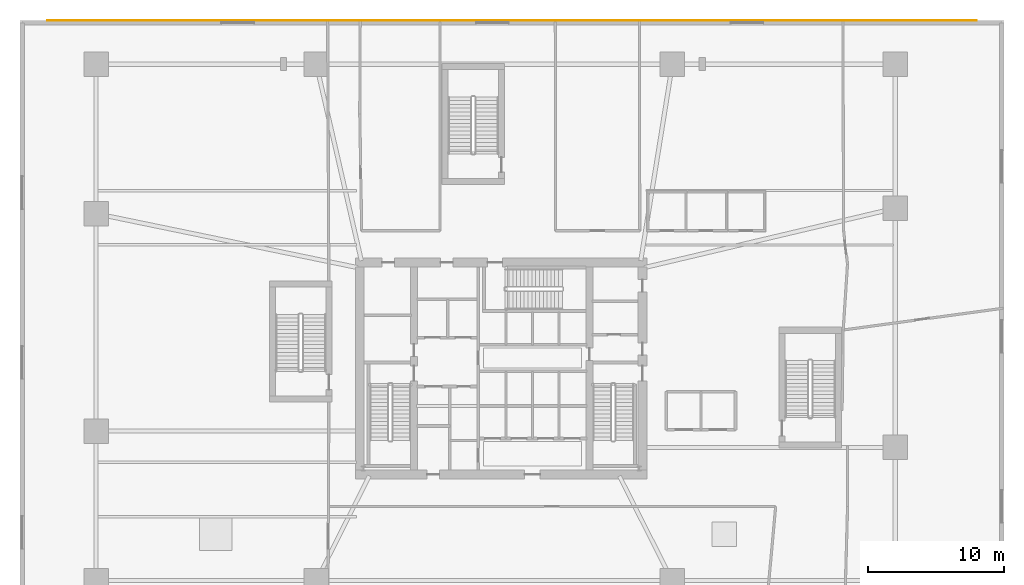
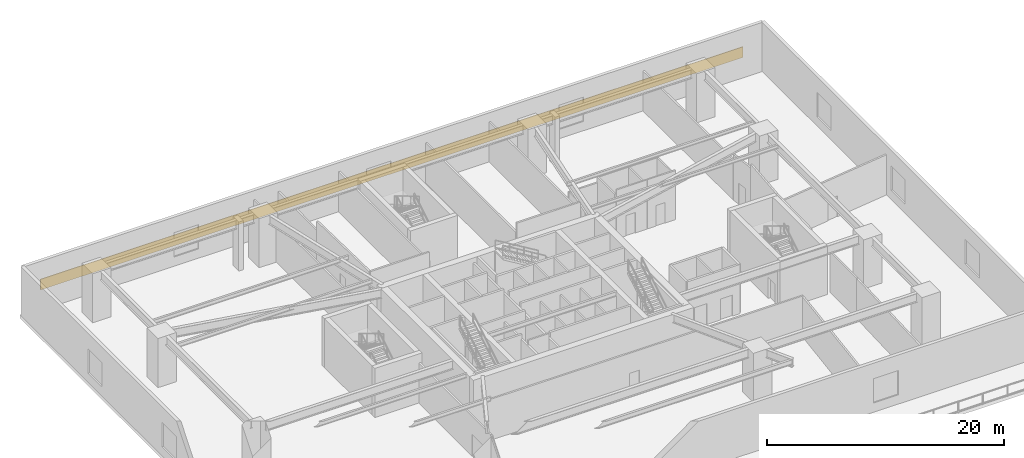
# One storey, part 11 of 11: 1 covering.
"""IFC4 building model written with IfcOpenShell, lengths in metres."""

from ifc_helpers import new_model, si_unit, direction, frame, origin, origin_2d, place, context, subcontext, project, spatial, rectangle, extrude, material, layer, layer_set, type_object, element, save


model = new_model("IFC4")

# Units and contexts
model_context = context("Model", 3, precision=1e-05, world=origin(), true_north=direction((0.0, 1.0)))
body_context = subcontext(model_context, "Body", "Model", "MODEL_VIEW")
ifc_project = project(units=[si_unit("LENGTHUNIT", "METRE"), si_unit("AREAUNIT", "SQUARE_METRE"), si_unit("VOLUMEUNIT", "CUBIC_METRE"), si_unit("PLANEANGLEUNIT", "RADIAN"), si_unit("MASSUNIT", "GRAM", prefix="KILO")], contexts=[model_context])

# Site, building, storey
site_placement = place(None, origin())
site = spatial("IfcSite", under=ifc_project, at=site_placement, CompositionType="ELEMENT")
building_placement = place(site_placement, origin())
building = spatial("IfcBuilding", under=site, at=building_placement, Name="Qarnah Convention Tower", CompositionType="ELEMENT")
storey_placement = place(building_placement, frame((0.0, 0.0, 5.39990234375)))
storey = spatial("IfcBuildingStorey", under=building, at=storey_placement, Name="L01", CompositionType="ELEMENT", Elevation=5.39990234375)

# Covering
ifc_material = material(Name="Precast concrete C45/55", Category="concrete")
ifc_layer = layer(ifc_material, 0.06005859375)
ifc_layer_set = layer_set([ifc_layer], Name="Precast concrete C45/55")
covering_type = type_object("IfcCoveringType", Name="COV-CLAD-60", PredefinedType="CLADDING", material=ifc_layer_set)
covering_placement = place(storey_placement, frame((38.0, 52.02001953125, 1.85009765625), z_axis=(0.0, 0.0, 1.0), x_axis=(1.0, 0.0, 0.0)))
element("IfcCovering", 1, at=covering_placement, inside=storey, type_object=covering_type, Name="L01 limestone precast spandrel cladding", PredefinedType="CLADDING", context=body_context, shape_type="SweptSolid", body=[
    extrude(rectangle(XDim=68.39990234375, YDim=0.06005859375, at=origin_2d()), origin(), (0.0, 0.0, 1.0), 1.10009765625),
])

save(model, "model.ifc")
